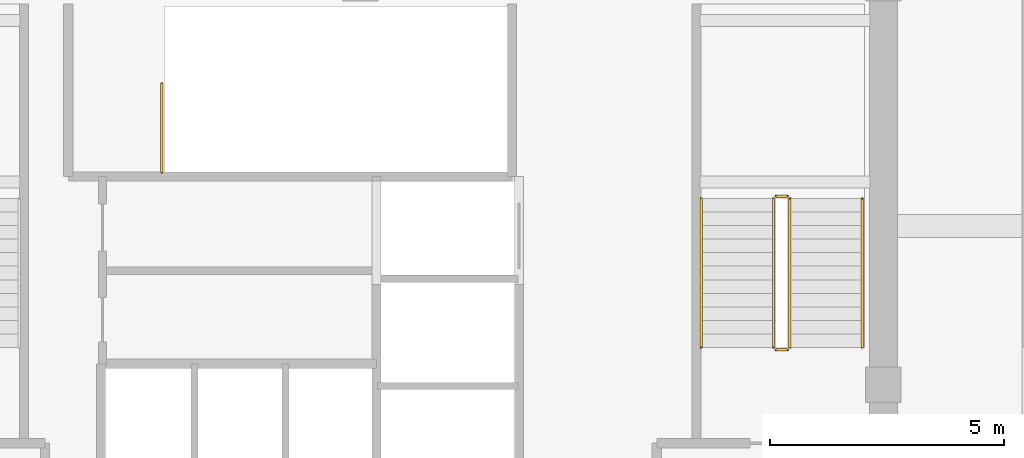
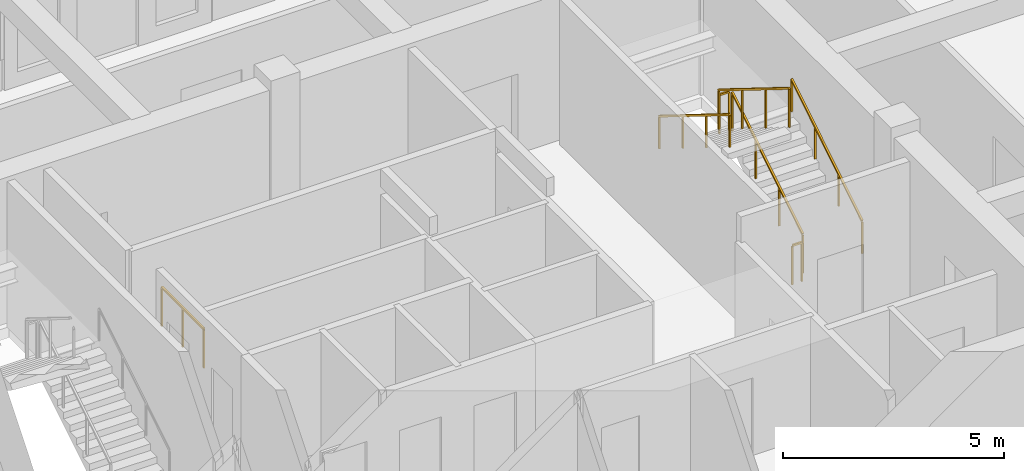
# One storey, part 10 of 10: 7 railings.
"""IFC4 building model written with IfcOpenShell, lengths in metres."""

import ifcopenshell
import ifcopenshell.guid

model = None  # the IFC model being written
_history = None  # IfcOwnerHistory: only IFC2X3 demands one
_inside = {}  # id of a spatial element -> (the spatial element, [elements in it])
_under = {}  # id of a project, library or spatial element -> (it, [spatial elements below it])
_declared = {}  # id of a project -> (the project, [libraries it declares])
_typed = {}  # id of a type object -> (the type object, [elements of that type])
_made_of = {}  # id of a material, layer set ... -> (it, [elements and type objects made of it])


def new_model(schema):
    """Start an empty IFC model of exactly this schema.

    Asked for "IFC4X3", IfcOpenShell would pick the latest addendum, in which some entities
    have other attributes; the version numbers below select the first issue.
    IFC2X3 requires an IfcOwnerHistory on every rooted entity: one is made here for all.
    """
    global model, _history
    if schema == "IFC4X3":
        model = ifcopenshell.file(schema_version=(4, 3, 0, 0))
    else:
        model = ifcopenshell.file(schema=schema)
    _inside.clear()
    _under.clear()
    _declared.clear()
    _typed.clear()
    _made_of.clear()
    _history = None
    if model.schema == "IFC2X3":
        org = make("IfcOrganization", Name="unknown")
        user = make(
            "IfcPersonAndOrganization",
            ThePerson=make("IfcPerson", FamilyName="unknown"),
            TheOrganization=org,
        )
        app = make(
            "IfcApplication",
            ApplicationDeveloper=org,
            Version="unknown",
            ApplicationFullName="unknown",
            ApplicationIdentifier="unknown",
        )
        _history = make(
            "IfcOwnerHistory",
            OwningUser=user,
            OwningApplication=app,
            ChangeAction="ADDED",
            CreationDate=0,
        )
    return model


def make(cls, **values):
    """One entity of the class cls with the attributes given. An attribute that is None is left unset."""
    return model.create_entity(
        cls, **{name: value for name, value in values.items() if value is not None}
    )


def rooted(cls, **values):
    """An entity with a GlobalId (a new one), such as an element, a storey or a relation."""
    return make(cls, GlobalId=ifcopenshell.guid.new(), OwnerHistory=_history, **values)


def si_unit(unit_type, name, prefix=None):
    """IfcSIUnit, for example si_unit("LENGTHUNIT", "METRE", prefix="MILLI")."""
    return make("IfcSIUnit", UnitType=unit_type, Prefix=prefix, Name=name)


def derived_unit(unit_type, elements):
    """IfcDerivedUnit: a product of units, each with its exponent."""
    return make(
        "IfcDerivedUnit",
        Elements=[
            make("IfcDerivedUnitElement", Unit=unit, Exponent=power)
            for unit, power in elements
        ],
        UnitType=unit_type,
    )


def assignment(units):
    """IfcUnitAssignment: the units of a project."""
    return None if units is None else make("IfcUnitAssignment", Units=units)


def point(xyz):
    """IfcCartesianPoint."""
    return None if xyz is None else make("IfcCartesianPoint", Coordinates=xyz)


def direction(xyz):
    """IfcDirection."""
    return None if xyz is None else make("IfcDirection", DirectionRatios=xyz)


def frame(location, z_axis=None, x_axis=None):
    """IfcAxis2Placement3D, a coordinate frame: its origin and axes. An axis left out is left unset."""
    return make(
        "IfcAxis2Placement3D",
        Location=point(location),
        Axis=direction(z_axis),
        RefDirection=direction(x_axis),
    )


def frame_2d(location, x_axis=None):
    """IfcAxis2Placement2D, a coordinate frame in the plane: its origin and x axis."""
    return make(
        "IfcAxis2Placement2D", Location=point(location), RefDirection=direction(x_axis)
    )


def origin():
    """The frame at (0, 0, 0) with its axes left unset."""
    return frame((0.0, 0.0, 0.0))


def origin_2d():
    """The frame at (0, 0) in the plane with its x axis left unset."""
    return frame_2d((0.0, 0.0))


def place(relative_to, where):
    """IfcLocalPlacement: puts the frame where relative to a parent placement (None: the world)."""
    return make(
        "IfcLocalPlacement", PlacementRelTo=relative_to, RelativePlacement=where
    )


def context(
    kind, dimensions, precision=None, world=None, true_north=None, identifier=None
):
    """IfcGeometricRepresentationContext, for example the 3D "Model" context."""
    return make(
        "IfcGeometricRepresentationContext",
        ContextIdentifier=identifier,
        ContextType=kind,
        CoordinateSpaceDimension=dimensions,
        Precision=precision,
        WorldCoordinateSystem=world,
        TrueNorth=true_north,
    )


def subcontext(parent, identifier, kind, view, scale=None):
    """IfcGeometricRepresentationSubContext, for example "Body" below "Model"."""
    return make(
        "IfcGeometricRepresentationSubContext",
        ContextIdentifier=identifier,
        ContextType=kind,
        ParentContext=parent,
        TargetScale=scale,
        TargetView=view,
    )


def project(units=None, contexts=None):
    """IfcProject with its units and contexts."""
    return rooted(
        "IfcProject",
        Name="project",
        RepresentationContexts=contexts,
        UnitsInContext=assignment(units),
    )


def spatial(cls, under=None, at=None, **own):
    """A site, building, storey or space (cls), placed at a placement, below another one or the project."""
    s = rooted(cls, ObjectPlacement=at, **own)
    if under is not None:
        _under.setdefault(under.id(), (under, []))[1].append(s)
    return s


def profile(cls, at=None, kind="AREA", **sizes):
    """A parametric profile (cls). Its sizes go by their IFC names, for example OverallWidth=200.0."""
    return make(cls, ProfileType=kind, Position=at, **sizes)


def rectangle(**sizes):
    """IfcRectangleProfileDef."""
    return profile("IfcRectangleProfileDef", **sizes)


def extrude(swept, where, along, depth):
    """IfcExtrudedAreaSolid: the profile swept, set in the frame where, extruded along a direction by depth."""
    return make(
        "IfcExtrudedAreaSolid",
        SweptArea=swept,
        Position=where,
        ExtrudedDirection=direction(along),
        Depth=depth,
    )


def shape(context_of_items, identifier, shape_type, items):
    """IfcShapeRepresentation: the items that make up one representation, for example the "Body"."""
    return make(
        "IfcShapeRepresentation",
        ContextOfItems=context_of_items,
        RepresentationIdentifier=identifier,
        RepresentationType=shape_type,
        Items=items,
    )


def material(Name=None, Category=None):
    """IfcMaterial."""
    return make("IfcMaterial", Name=Name, Category=Category)


def made_of(thing, what):
    """Note that an element or type object is made of a material, layer set ...; save() writes the relation."""
    if what is not None:
        _made_of.setdefault(what.id(), (what, []))[1].append(thing)
    return thing


def type_object(cls, material=None, **own):
    """A type object (cls), such as IfcWallType, which elements share."""
    return made_of(rooted(cls, **own), material)


def element(
    cls,
    number,
    at=None,
    inside=None,
    cuts=None,
    type_object=None,
    material=None,
    context=None,
    identifier="Body",
    shape_type=None,
    held_by="IfcProductDefinitionShape",
    body=None,
    shapes=None,
    **own,
):
    """One element of the class cls, such as IfcWall. Its Tag is "e" and its number.

    at: its placement. inside: the storey or other place that contains it. cuts: it is an
    opening in that element (IfcRelVoidsElement). A single representation is given by context,
    identifier, shape_type and body (its items); several are given by shapes. held_by: the class
    of the entity that holds the representations. save() writes the other relations.
    """
    e = rooted(cls, Tag="e%d" % number, ObjectPlacement=at, **own)
    if body is not None:
        shapes = [shape(context, identifier, shape_type, body)]
    if shapes is not None:
        e.Representation = make(held_by, Representations=shapes)
    if inside is not None:
        _inside.setdefault(inside.id(), (inside, []))[1].append(e)
    if cuts is not None:
        rooted(
            "IfcRelVoidsElement", RelatingBuildingElement=cuts, RelatedOpeningElement=e
        )
    if type_object is not None:
        _typed.setdefault(type_object.id(), (type_object, []))[1].append(e)
    return made_of(e, material)


def aggregate(whole, parts):
    """IfcRelAggregates: a whole, such as a stair, and the parts it consists of."""
    return rooted("IfcRelAggregates", RelatingObject=whole, RelatedObjects=parts)


def save(model, path):
    """Write the relations noted so far, then the file.

    IfcRelAggregates (storeys below a building ...), IfcRelContainedInSpatialStructure (elements
    in a storey), IfcRelDefinesByType, IfcRelAssociatesMaterial and IfcRelDeclares: one each for
    every whole, place, type object, material and project.
    """
    for whole, parts in _under.values():
        aggregate(whole, parts)
    for where, things in _inside.values():
        rooted(
            "IfcRelContainedInSpatialStructure",
            RelatedElements=things,
            RelatingStructure=where,
        )
    for kind, things in _typed.values():
        rooted("IfcRelDefinesByType", RelatedObjects=things, RelatingType=kind)
    for what, things in _made_of.values():
        rooted("IfcRelAssociatesMaterial", RelatedObjects=things, RelatingMaterial=what)
    for by, libraries in _declared.values():
        rooted("IfcRelDeclares", RelatingContext=by, RelatedDefinitions=libraries)
    model.write(path)


model = new_model("IFC4")

# Units and contexts
model_context = context("Model", 3, precision=1e-05, world=origin(), true_north=direction((0.0, 1.0)))
body_context = subcontext(model_context, "Body", "Model", "MODEL_VIEW")
ifc_project = project(units=[si_unit("LENGTHUNIT", "METRE"), si_unit("AREAUNIT", "SQUARE_METRE"), si_unit("VOLUMEUNIT", "CUBIC_METRE"), si_unit("PLANEANGLEUNIT", "RADIAN"), si_unit("MASSUNIT", "GRAM", prefix="KILO"), derived_unit("THERMALTRANSMITTANCEUNIT", [(si_unit("POWERUNIT", "WATT"), 1), (si_unit("LENGTHUNIT", "METRE"), -2), (si_unit("THERMODYNAMICTEMPERATUREUNIT", "KELVIN"), -1)])], contexts=[model_context])

# Site, building, storey
site_placement = place(None, origin())
site = spatial("IfcSite", under=ifc_project, at=site_placement, CompositionType="ELEMENT")
building_placement = place(site_placement, origin())
building = spatial("IfcBuilding", under=site, at=building_placement, Name="Koralith Skygarden Medical Center", CompositionType="ELEMENT")
storey_placement = place(building_placement, frame((0.0, 0.0, 294.659912109375)))
storey = spatial("IfcBuildingStorey", under=building, at=storey_placement, Name="L76", CompositionType="ELEMENT", Elevation=294.659912109375)

# Railings
ifc_material = material(Name="Steel ASTM A500 Grade C", Category="steel")
railing_type_1 = type_object("IfcRailingType", Name="Stair Flight Tubular Handrail 920", PredefinedType="HANDRAIL", material=ifc_material)
railing_1_placement = place(storey_placement, frame((47.75, 26.699951171875, 0.18017578125)))
element("IfcRailing", 1, at=railing_1_placement, inside=storey, type_object=railing_type_1, Name="L76 ST2 stair handrail 1", PredefinedType="HANDRAIL", context=body_context, shape_type="SweptSolid", body=[
    extrude(rectangle(XDim=0.050048828125, YDim=0.050048828125, at=origin_2d()), frame((0.0, 0.001708984375, 0.89599609375), z_axis=(0.0, 0.849638156785, 0.527366099152), x_axis=(-1.0, 0.0, 0.0)), (0.0, 0.0, 1.0), 3.75048828125),
    extrude(rectangle(XDim=0.0419921875, YDim=0.0419921875, at=origin_2d()), origin(), (0.0, 0.0, 1.0), 0.867919921875),
    extrude(rectangle(XDim=0.0419921875, YDim=0.0419921875, at=origin_2d()), frame((0.0, 1.063232421875, 0.659912109375)), (0.0, 0.0, 1.0), 0.867919921875),
    extrude(rectangle(XDim=0.0419921875, YDim=0.0419921875, at=origin_2d()), frame((0.0, 2.126708984375, 1.320068359375)), (0.0, 0.0, 1.0), 0.867919921875),
    extrude(rectangle(XDim=0.0419921875, YDim=0.0419921875, at=origin_2d()), frame((0.0, 3.18994140625, 1.97998046875)), (0.0, 0.0, 1.0), 0.867919921875),
])
railing_2_placement = place(storey_placement, frame((44.300048828125, 29.889892578125, 2.340087890625)))
element("IfcRailing", 2, at=railing_2_placement, inside=storey, type_object=railing_type_1, Name="L76 ST2 stair handrail 2", PredefinedType="HANDRAIL", context=body_context, shape_type="SweptSolid", body=[
    extrude(rectangle(XDim=0.050048828125, YDim=0.050048828125, at=origin_2d()), frame((0.0, -0.001708984375, 0.89599609375), z_axis=(0.0, -0.849638156785, 0.527366099152), x_axis=(1.0, 0.0, 0.0)), (0.0, 0.0, 1.0), 3.75048828125),
    extrude(rectangle(XDim=0.0419921875, YDim=0.0419921875, at=origin_2d()), origin(), (0.0, 0.0, 1.0), 0.867919921875),
    extrude(rectangle(XDim=0.0419921875, YDim=0.0419921875, at=origin_2d()), frame((0.0, -1.063232421875, 0.659912109375)), (0.0, 0.0, 1.0), 0.867919921875),
    extrude(rectangle(XDim=0.0419921875, YDim=0.0419921875, at=origin_2d()), frame((0.0, -2.126708984375, 1.320068359375)), (0.0, 0.0, 1.0), 0.867919921875),
    extrude(rectangle(XDim=0.0419921875, YDim=0.0419921875, at=origin_2d()), frame((0.0, -3.18994140625, 1.97998046875)), (0.0, 0.0, 1.0), 0.867919921875),
])
railing_type_2 = type_object("IfcRailingType", Name="Stair Well Safety Guardrail 1100", PredefinedType="GUARDRAIL", material=ifc_material)
railing_3_placement = place(storey_placement, frame((46.199951171875, 26.699951171875, 0.18017578125)))
element("IfcRailing", 3, at=railing_3_placement, inside=storey, type_object=railing_type_2, Name="L76 ST2 stair guard 1", PredefinedType="GUARDRAIL", context=body_context, shape_type="SweptSolid", body=[
    extrude(rectangle(XDim=0.050048828125, YDim=0.050048828125, at=origin_2d()), frame((0.0, 0.001708984375, 1.076171875), z_axis=(0.0, 0.849638156785, 0.527366099152), x_axis=(-1.0, 0.0, 0.0)), (0.0, 0.0, 1.0), 3.75048828125),
    extrude(rectangle(XDim=0.0419921875, YDim=0.0419921875, at=origin_2d()), origin(), (0.0, 0.0, 1.0), 1.048095703125),
    extrude(rectangle(XDim=0.0419921875, YDim=0.0419921875, at=origin_2d()), frame((0.0, 1.063232421875, 0.659912109375)), (0.0, 0.0, 1.0), 1.048095703125),
    extrude(rectangle(XDim=0.0419921875, YDim=0.0419921875, at=origin_2d()), frame((0.0, 2.126708984375, 1.320068359375)), (0.0, 0.0, 1.0), 1.048095703125),
    extrude(rectangle(XDim=0.0419921875, YDim=0.0419921875, at=origin_2d()), frame((0.0, 3.18994140625, 1.97998046875)), (0.0, 0.0, 1.0), 1.048095703125),
])
railing_4_placement = place(storey_placement, frame((46.14990234375, 29.93994140625, 2.16015625)))
element("IfcRailing", 4, at=railing_4_placement, inside=storey, type_object=railing_type_2, Name="L76 ST2 stair guard 2", PredefinedType="GUARDRAIL", context=body_context, shape_type="SweptSolid", body=[
    extrude(rectangle(XDim=0.050048828125, YDim=0.050048828125, at=origin_2d()), frame((-0.001953125, 0.0, 1.0751953125), z_axis=(-1.0, 0.0, 0.0), x_axis=(0.0, -1.0, 0.0)), (0.0, 0.0, 1.0), 0.24609375),
    extrude(rectangle(XDim=0.0419921875, YDim=0.0419921875, at=origin_2d()), origin(), (0.0, 0.0, 1.0), 1.048095703125),
    extrude(rectangle(XDim=0.0419921875, YDim=0.0419921875, at=origin_2d()), frame((-0.25, 0.0, 0.0)), (0.0, 0.0, 1.0), 1.048095703125),
])
railing_5_placement = place(storey_placement, frame((45.85009765625, 29.889892578125, 2.340087890625)))
element("IfcRailing", 5, at=railing_5_placement, inside=storey, type_object=railing_type_2, Name="L76 ST2 stair guard 3", PredefinedType="GUARDRAIL", context=body_context, shape_type="SweptSolid", body=[
    extrude(rectangle(XDim=0.050048828125, YDim=0.050048828125, at=origin_2d()), frame((0.0, -0.001708984375, 1.076171875), z_axis=(0.0, -0.849638156785, 0.527366099152), x_axis=(1.0, 0.0, 0.0)), (0.0, 0.0, 1.0), 3.75048828125),
    extrude(rectangle(XDim=0.0419921875, YDim=0.0419921875, at=origin_2d()), origin(), (0.0, 0.0, 1.0), 1.048095703125),
    extrude(rectangle(XDim=0.0419921875, YDim=0.0419921875, at=origin_2d()), frame((0.0, -1.063232421875, 0.659912109375)), (0.0, 0.0, 1.0), 1.048095703125),
    extrude(rectangle(XDim=0.0419921875, YDim=0.0419921875, at=origin_2d()), frame((0.0, -2.126708984375, 1.320068359375)), (0.0, 0.0, 1.0), 1.048095703125),
    extrude(rectangle(XDim=0.0419921875, YDim=0.0419921875, at=origin_2d()), frame((0.0, -3.18994140625, 1.97998046875)), (0.0, 0.0, 1.0), 1.048095703125),
])
railing_6_placement = place(storey_placement, frame((46.14990234375, 26.64990234375, 0.0)))
element("IfcRailing", 6, at=railing_6_placement, inside=storey, type_object=railing_type_2, Name="L76 ST2 stair guard 4", PredefinedType="GUARDRAIL", context=body_context, shape_type="SweptSolid", body=[
    extrude(rectangle(XDim=0.050048828125, YDim=0.050048828125, at=origin_2d()), frame((-0.001953125, 0.0, 1.0751953125), z_axis=(-1.0, 0.0, 0.0), x_axis=(0.0, -1.0, 0.0)), (0.0, 0.0, 1.0), 0.24609375),
    extrude(rectangle(XDim=0.0419921875, YDim=0.0419921875, at=origin_2d()), origin(), (0.0, 0.0, 1.0), 1.048095703125),
    extrude(rectangle(XDim=0.0419921875, YDim=0.0419921875, at=origin_2d()), frame((-0.25, 0.0, 0.0)), (0.0, 0.0, 1.0), 1.048095703125),
])
railing_7_placement = place(storey_placement, frame((32.75, 30.449951171875, 0.0)))
element("IfcRailing", 7, at=railing_7_placement, inside=storey, type_object=railing_type_2, Name="L76 ST3 top well guard 1", PredefinedType="GUARDRAIL", context=body_context, shape_type="SweptSolid", body=[
    extrude(rectangle(XDim=0.050048828125, YDim=0.050048828125, at=origin_2d()), frame((0.0, 0.001953125, 1.0751953125), z_axis=(0.0, 1.0, 0.0), x_axis=(-1.0, 0.0, 0.0)), (0.0, 0.0, 1.0), 1.896240234375),
    extrude(rectangle(XDim=0.0419921875, YDim=0.0419921875, at=origin_2d()), origin(), (0.0, 0.0, 1.0), 1.048095703125),
    extrude(rectangle(XDim=0.0419921875, YDim=0.0419921875, at=origin_2d()), frame((0.0, 0.9501953125, 0.0)), (0.0, 0.0, 1.0), 1.048095703125),
    extrude(rectangle(XDim=0.0419921875, YDim=0.0419921875, at=origin_2d()), frame((0.0, 1.900146484375, 0.0)), (0.0, 0.0, 1.0), 1.048095703125),
])

save(model, "model.ifc")
